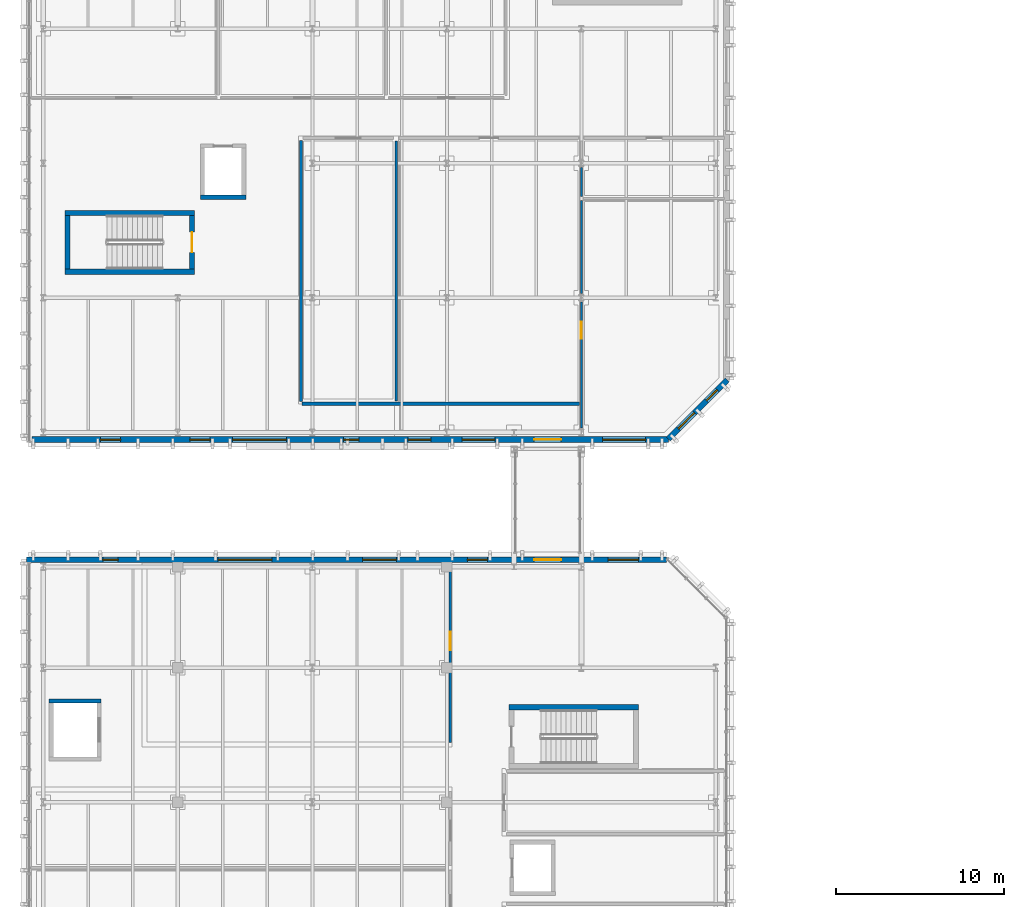
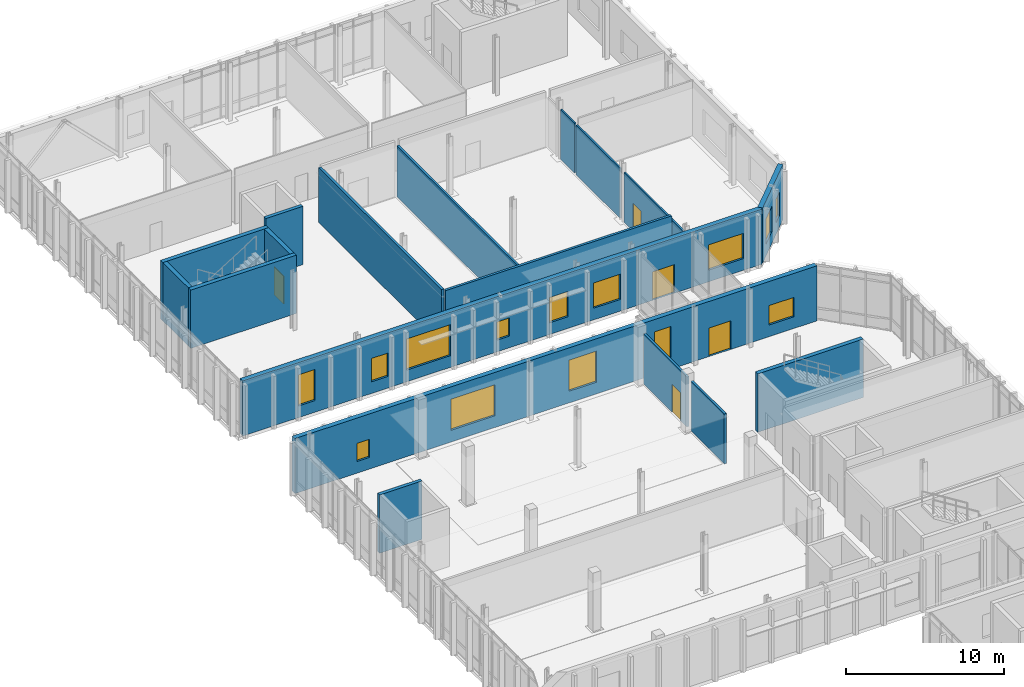
# One storey, part 73 of 100: 18 walls, 14 windows, 5 doors, 19 openings.
"""IFC4 building model written with IfcOpenShell, lengths in metres."""

from ifc_helpers import new_model, si_unit, direction, frame, frame_2d, origin, place, context, subcontext, project, spatial, rectangle, extrude, material, layer, layer_set, type_object, element, fill, save


model = new_model("IFC4")

# Units and contexts
model_context = context("Model", 3, precision=1e-05, world=origin(), true_north=direction((0.0, 1.0)))
body_context = subcontext(model_context, "Body", "Model", "MODEL_VIEW")
ifc_project = project(units=[si_unit("LENGTHUNIT", "METRE"), si_unit("AREAUNIT", "SQUARE_METRE"), si_unit("VOLUMEUNIT", "CUBIC_METRE"), si_unit("PLANEANGLEUNIT", "RADIAN"), si_unit("MASSUNIT", "GRAM", prefix="KILO")], contexts=[model_context])

# Site, building, storey
site_placement = place(None, origin())
site = spatial("IfcSite", under=ifc_project, at=site_placement, CompositionType="ELEMENT")
building_placement = place(site_placement, origin())
building = spatial("IfcBuilding", under=site, at=building_placement, Name="Cymarion Research Institute", CompositionType="ELEMENT")
storey_placement = place(building_placement, frame((0.0, 0.0, 9.300048828125)))
storey = spatial("IfcBuildingStorey", under=building, at=storey_placement, Name="L02", CompositionType="ELEMENT", Elevation=9.300048828125)

# Wall, openings, door, windows
ifc_material_1 = material(Name="Precast concrete C40/50", Category="concrete")
ifc_layer_1 = layer(ifc_material_1, 0.340087890625)
ifc_layer_set_1 = layer_set([ifc_layer_1], Name="Precast concrete C40/50")
wall_type_1 = type_object("IfcWallType", Name="EXTERIOR WALL EW-PC340 340MM", PredefinedType="SOLIDWALL", material=ifc_layer_set_1)
wall_1_placement = place(storey_placement, frame((43.67724609375, 77.929931640625, 0.0), z_axis=(0.0, 0.0, 1.0), x_axis=(-1.0, 0.0, 0.0)))
wall_1 = element("IfcWall", 1, at=wall_1_placement, inside=storey, type_object=wall_type_1, Name="L02 V4 exterior wall EW-PC340 #155", PredefinedType="SOLIDWALL", context=body_context, shape_type="SweptSolid", body=[
    extrude(rectangle(XDim=38.0771484375, YDim=0.340087890625, at=frame_2d((19.03857421875, 0.0))), origin(), (0.0, 0.0, 1.0), 4.25),
])
opening_1_placement = place(wall_1_placement, frame((6.277099609375, 0.0, 0.0)))
opening_1 = element("IfcOpeningElement", 2, at=opening_1_placement, cuts=wall_1, Name="Opening D-SP2-L02-S", PredefinedType="OPENING", context=body_context, shape_type="SweptSolid", body=[
    extrude(rectangle(XDim=1.60009765625, YDim=2.199951171875, at=frame_2d((0.800048828125, 1.10009765625))), frame((0.0, 0.179931640625, 0.0), z_axis=(0.0, -1.0, 0.0), x_axis=(1.0, 0.0, 0.0)), (0.0, 0.0, 1.0), 0.360107421875),
])
opening_2_placement = place(wall_1_placement, frame((1.68896484375, 0.0, 0.89990234375)))
opening_2 = element("IfcOpeningElement", 3, at=opening_2_placement, cuts=wall_1, Name="Opening W17", PredefinedType="OPENING", context=body_context, shape_type="SweptSolid", body=[
    extrude(rectangle(XDim=1.800048828125, YDim=1.5, at=frame_2d((0.89990234375, 0.75))), frame((0.0, 0.179931640625, 0.0), z_axis=(0.0, -1.0, 0.0), x_axis=(1.0, 0.0, 0.0)), (0.0, 0.0, 1.0), 0.360107421875),
])
opening_3_placement = place(wall_1_placement, frame((10.656982421875, 0.0, 0.89990234375)))
opening_3 = element("IfcOpeningElement", 4, at=opening_3_placement, cuts=wall_1, Name="Opening W19", PredefinedType="OPENING", context=body_context, shape_type="SweptSolid", body=[
    extrude(rectangle(XDim=1.199951171875, YDim=2.39990234375, at=frame_2d((0.60009765625, 1.199951171875))), frame((0.0, 0.179931640625, 0.0), z_axis=(0.0, -1.0, 0.0), x_axis=(1.0, 0.0, 0.0)), (0.0, 0.0, 1.0), 0.360107421875),
])
opening_4_placement = place(wall_1_placement, frame((16.076904296875, 0.0, 0.89990234375)))
opening_4 = element("IfcOpeningElement", 5, at=opening_4_placement, cuts=wall_1, Name="Opening W21", PredefinedType="OPENING", context=body_context, shape_type="SweptSolid", body=[
    extrude(rectangle(XDim=2.0, YDim=2.39990234375, at=frame_2d((1.0, 1.199951171875))), frame((0.0, 0.179931640625, 0.0), z_axis=(0.0, -1.0, 0.0), x_axis=(1.0, 0.0, 0.0)), (0.0, 0.0, 1.0), 0.360107421875),
])
opening_5_placement = place(wall_1_placement, frame((23.47705078125, 0.0, 0.89990234375)))
opening_5 = element("IfcOpeningElement", 6, at=opening_5_placement, cuts=wall_1, Name="Opening W23", PredefinedType="OPENING", context=body_context, shape_type="SweptSolid", body=[
    extrude(rectangle(XDim=3.199951171875, YDim=2.39990234375, at=frame_2d((1.60009765625, 1.199951171875))), frame((0.0, 0.179931640625, 0.0), z_axis=(0.0, -1.0, 0.0), x_axis=(1.0, 0.0, 0.0)), (0.0, 0.0, 1.0), 0.360107421875),
])
opening_6_placement = place(wall_1_placement, frame((32.626953125, 0.0, 0.89990234375)))
opening_6 = element("IfcOpeningElement", 7, at=opening_6_placement, cuts=wall_1, Name="Opening W25", PredefinedType="OPENING", context=body_context, shape_type="SweptSolid", body=[
    extrude(rectangle(XDim=0.89990234375, YDim=1.39990234375, at=frame_2d((0.449951171875, 0.699951171875))), frame((0.0, 0.179931640625, 0.0), z_axis=(0.0, -1.0, 0.0), x_axis=(1.0, 0.0, 0.0)), (0.0, 0.0, 1.0), 0.360107421875),
])
ifc_material_2 = material(Name="Thermally broken anodised aluminium glazed door", Category="aluminium")
door_type_1 = type_object("IfcDoorType", Name="GLAZED ALUMINIUM TERRACE ACCESS DOOR DT-TR160 1600X2200", OperationType="NOTDEFINED", PredefinedType="DOOR", material=ifc_material_2)
door_1_placement = place(opening_1_placement, frame((1.60009765625, 0.0, 0.0), z_axis=(0.0, 0.0, 1.0), x_axis=(-1.0, 0.0, 0.0)))
door_1 = element("IfcDoor", 8, at=door_1_placement, inside=storey, type_object=door_type_1, Name="L02 V4 Sky-Passage Portal Door D-SP2-L02-S", OperationType="SINGLE_SWING_RIGHT", OverallHeight=2.199951171875, OverallWidth=1.60009765625, PredefinedType="DOOR", context=body_context, shape_type="SweptSolid", body=[
    extrude(rectangle(XDim=1.60009765625, YDim=2.199951171875, at=frame_2d((0.800048828125, 1.10009765625))), frame((0.0, 0.02490234375, 0.0), z_axis=(0.0, -1.0, 0.0), x_axis=(1.0, 0.0, 0.0)), (0.0, 0.0, 1.0), 0.050048828125),
])
fill(opening_1, door_1)
ifc_material_3 = material(Name="Thermally broken aluminium window with Low-E glazing", Category="aluminium")
window_type_1 = type_object("IfcWindowType", Name="THERMALLY BROKEN ALUMINIUM WINDOW W17 1800X1500", PartitioningType="DOUBLE_PANEL_HORIZONTAL", PredefinedType="WINDOW", material=ifc_material_3)
window_1_placement = place(opening_2_placement, origin())
window_1 = element("IfcWindow", 9, at=window_1_placement, inside=storey, type_object=window_type_1, Name="L02 V4 facade window W17 #283", OverallHeight=1.5, OverallWidth=1.800048828125, PartitioningType="SINGLE_PANEL", PredefinedType="WINDOW", context=body_context, shape_type="SweptSolid", body=[
    extrude(rectangle(XDim=1.800048828125, YDim=1.5, at=frame_2d((0.89990234375, 0.75))), frame((0.0, 0.030029296875, 0.0), z_axis=(0.0, -1.0, 0.0), x_axis=(1.0, 0.0, 0.0)), (0.0, 0.0, 1.0), 0.06005859375),
])
fill(opening_2, window_1)
window_type_2 = type_object("IfcWindowType", Name="THERMALLY BROKEN ALUMINIUM WINDOW W19 1200X2400", PartitioningType="SINGLE_PANEL", PredefinedType="WINDOW", material=ifc_material_3)
window_2_placement = place(opening_3_placement, origin())
window_2 = element("IfcWindow", 10, at=window_2_placement, inside=storey, type_object=window_type_2, Name="L02 V4 facade window W19 #284", OverallHeight=2.39990234375, OverallWidth=1.199951171875, PartitioningType="SINGLE_PANEL", PredefinedType="WINDOW", context=body_context, shape_type="SweptSolid", body=[
    extrude(rectangle(XDim=1.199951171875, YDim=2.39990234375, at=frame_2d((0.60009765625, 1.199951171875))), frame((0.0, 0.030029296875, 0.0), z_axis=(0.0, -1.0, 0.0), x_axis=(1.0, 0.0, 0.0)), (0.0, 0.0, 1.0), 0.06005859375),
])
fill(opening_3, window_2)
window_type_3 = type_object("IfcWindowType", Name="THERMALLY BROKEN ALUMINIUM WINDOW W21 2000X2400", PartitioningType="DOUBLE_PANEL_VERTICAL", PredefinedType="WINDOW", material=ifc_material_3)
window_3_placement = place(opening_4_placement, origin())
window_3 = element("IfcWindow", 11, at=window_3_placement, inside=storey, type_object=window_type_3, Name="L02 V4 facade window W21 #285", OverallHeight=2.39990234375, OverallWidth=2.0, PartitioningType="SINGLE_PANEL", PredefinedType="WINDOW", context=body_context, shape_type="SweptSolid", body=[
    extrude(rectangle(XDim=2.0, YDim=2.39990234375, at=frame_2d((1.0, 1.199951171875))), frame((0.0, 0.030029296875, 0.0), z_axis=(0.0, -1.0, 0.0), x_axis=(1.0, 0.0, 0.0)), (0.0, 0.0, 1.0), 0.06005859375),
])
fill(opening_4, window_3)
window_type_4 = type_object("IfcWindowType", Name="THERMALLY BROKEN ALUMINIUM WINDOW W23 3200X2400", PartitioningType="TRIPLE_PANEL_VERTICAL", PredefinedType="WINDOW", material=ifc_material_3)
window_4_placement = place(opening_5_placement, origin())
window_4 = element("IfcWindow", 12, at=window_4_placement, inside=storey, type_object=window_type_4, Name="L02 V4 facade window W23 #286", OverallHeight=2.39990234375, OverallWidth=3.199951171875, PartitioningType="SINGLE_PANEL", PredefinedType="WINDOW", context=body_context, shape_type="SweptSolid", body=[
    extrude(rectangle(XDim=3.199951171875, YDim=2.39990234375, at=frame_2d((1.60009765625, 1.199951171875))), frame((0.0, 0.030029296875, 0.0), z_axis=(0.0, -1.0, 0.0), x_axis=(1.0, 0.0, 0.0)), (0.0, 0.0, 1.0), 0.06005859375),
])
fill(opening_5, window_4)
window_type_5 = type_object("IfcWindowType", Name="THERMALLY BROKEN ALUMINIUM WINDOW W25 900X1400", PartitioningType="SINGLE_PANEL", PredefinedType="WINDOW", material=ifc_material_3)
window_5_placement = place(opening_6_placement, origin())
window_5 = element("IfcWindow", 13, at=window_5_placement, inside=storey, type_object=window_type_5, Name="L02 V4 facade window W25 #287", OverallHeight=1.39990234375, OverallWidth=0.89990234375, PartitioningType="SINGLE_PANEL", PredefinedType="WINDOW", context=body_context, shape_type="SweptSolid", body=[
    extrude(rectangle(XDim=0.89990234375, YDim=1.39990234375, at=frame_2d((0.449951171875, 0.699951171875))), frame((0.0, 0.030029296875, 0.0), z_axis=(0.0, -1.0, 0.0), x_axis=(1.0, 0.0, 0.0)), (0.0, 0.0, 1.0), 0.06005859375),
])
fill(opening_6, window_5)

wall_2_placement = place(storey_placement, frame((5.922119140625, 85.070068359375, 0.0), z_axis=(0.0, 0.0, 1.0), x_axis=(1.0, 0.0, 0.0)))
wall_2 = element("IfcWall", 14, at=wall_2_placement, inside=storey, type_object=wall_type_1, Name="L02 V5 exterior wall EW-PC340 #156", PredefinedType="SOLIDWALL", context=body_context, shape_type="SweptSolid", body=[
    extrude(rectangle(XDim=37.8779296875, YDim=0.340087890625, at=frame_2d((18.93896484375, 0.0))), origin(), (0.0, 0.0, 1.0), 4.25),
])
opening_7_placement = place(wall_2_placement, frame((29.8779296875, 0.0, 0.0)))
opening_7 = element("IfcOpeningElement", 15, at=opening_7_placement, cuts=wall_2, Name="Opening D-SP2-L02-N", PredefinedType="OPENING", context=body_context, shape_type="SweptSolid", body=[
    extrude(rectangle(XDim=1.60009765625, YDim=2.199951171875, at=frame_2d((0.800048828125, 1.10009765625))), frame((0.0, 0.179931640625, 0.0), z_axis=(0.0, -1.0, 0.0), x_axis=(1.0, 0.0, 0.0)), (0.0, 0.0, 1.0), 0.360107421875),
])
opening_8_placement = place(wall_2_placement, frame((4.077880859375, 0.0, 0.89990234375)))
opening_8 = element("IfcOpeningElement", 16, at=opening_8_placement, cuts=wall_2, Name="Opening W19", PredefinedType="OPENING", context=body_context, shape_type="SweptSolid", body=[
    extrude(rectangle(XDim=1.199951171875, YDim=2.39990234375, at=frame_2d((0.60009765625, 1.199951171875))), frame((0.0, 0.179931640625, 0.0), z_axis=(0.0, -1.0, 0.0), x_axis=(1.0, 0.0, 0.0)), (0.0, 0.0, 1.0), 0.360107421875),
])
opening_9_placement = place(wall_2_placement, frame((9.39794921875, 0.0, 0.89990234375)))
opening_9 = element("IfcOpeningElement", 17, at=opening_9_placement, cuts=wall_2, Name="Opening W01", PredefinedType="OPENING", context=body_context, shape_type="SweptSolid", body=[
    extrude(rectangle(XDim=1.199951171875, YDim=1.800048828125, at=frame_2d((0.60009765625, 0.89990234375))), frame((0.0, 0.179931640625, 0.0), z_axis=(0.0, -1.0, 0.0), x_axis=(1.0, 0.0, 0.0)), (0.0, 0.0, 1.0), 0.360107421875),
])
opening_10_placement = place(wall_2_placement, frame((11.93798828125, 0.0, 0.89990234375)))
opening_10 = element("IfcOpeningElement", 18, at=opening_10_placement, cuts=wall_2, Name="Opening W23", PredefinedType="OPENING", context=body_context, shape_type="SweptSolid", body=[
    extrude(rectangle(XDim=3.199951171875, YDim=2.39990234375, at=frame_2d((1.60009765625, 1.199951171875))), frame((0.0, 0.179931640625, 0.0), z_axis=(0.0, -1.0, 0.0), x_axis=(1.0, 0.0, 0.0)), (0.0, 0.0, 1.0), 0.360107421875),
])
opening_11_placement = place(wall_2_placement, frame((18.548095703125, 0.0, 0.89990234375)))
opening_11 = element("IfcOpeningElement", 19, at=opening_11_placement, cuts=wall_2, Name="Opening W25", PredefinedType="OPENING", context=body_context, shape_type="SweptSolid", body=[
    extrude(rectangle(XDim=0.89990234375, YDim=1.39990234375, at=frame_2d((0.449951171875, 0.699951171875))), frame((0.0, 0.179931640625, 0.0), z_axis=(0.0, -1.0, 0.0), x_axis=(1.0, 0.0, 0.0)), (0.0, 0.0, 1.0), 0.360107421875),
])
opening_12_placement = place(wall_2_placement, frame((22.383056640625, 0.0, 0.89990234375)))
opening_12 = element("IfcOpeningElement", 20, at=opening_12_placement, cuts=wall_2, Name="Opening W27", PredefinedType="OPENING", context=body_context, shape_type="SweptSolid", body=[
    extrude(rectangle(XDim=1.35009765625, YDim=1.949951171875, at=frame_2d((0.675048828125, 0.97509765625))), frame((0.0, 0.179931640625, 0.0), z_axis=(0.0, -1.0, 0.0), x_axis=(1.0, 0.0, 0.0)), (0.0, 0.0, 1.0), 0.360107421875),
])
opening_13_placement = place(wall_2_placement, frame((25.5830078125, 0.0, 0.89990234375)))
opening_13 = element("IfcOpeningElement", 21, at=opening_13_placement, cuts=wall_2, Name="Opening W29", PredefinedType="OPENING", context=body_context, shape_type="SweptSolid", body=[
    extrude(rectangle(XDim=1.949951171875, YDim=1.949951171875, at=frame_2d((0.97509765625, 0.97509765625))), frame((0.0, 0.179931640625, 0.0), z_axis=(0.0, -1.0, 0.0), x_axis=(1.0, 0.0, 0.0)), (0.0, 0.0, 1.0), 0.360107421875),
])
opening_14_placement = place(wall_2_placement, frame((33.952880859375, 0.0, 0.89990234375)))
opening_14 = element("IfcOpeningElement", 22, at=opening_14_placement, cuts=wall_2, Name="Opening W31", PredefinedType="OPENING", context=body_context, shape_type="SweptSolid", body=[
    extrude(rectangle(XDim=2.550048828125, YDim=1.949951171875, at=frame_2d((1.27490234375, 0.97509765625))), frame((0.0, 0.179931640625, 0.0), z_axis=(0.0, -1.0, 0.0), x_axis=(1.0, 0.0, 0.0)), (0.0, 0.0, 1.0), 0.360107421875),
])
door_2_placement = place(opening_7_placement, frame((1.60009765625, 0.0, 0.0), z_axis=(0.0, 0.0, 1.0), x_axis=(-1.0, 0.0, 0.0)))
door_2 = element("IfcDoor", 23, at=door_2_placement, inside=storey, type_object=door_type_1, Name="L02 V5 Sky-Passage Portal Door D-SP2-L02-N", OperationType="SINGLE_SWING_RIGHT", OverallHeight=2.199951171875, OverallWidth=1.60009765625, PredefinedType="DOOR", context=body_context, shape_type="SweptSolid", body=[
    extrude(rectangle(XDim=1.60009765625, YDim=2.199951171875, at=frame_2d((0.800048828125, 1.10009765625))), frame((0.0, 0.02490234375, 0.0), z_axis=(0.0, -1.0, 0.0), x_axis=(1.0, 0.0, 0.0)), (0.0, 0.0, 1.0), 0.050048828125),
])
fill(opening_7, door_2)
window_type_6 = type_object("IfcWindowType", Name="THERMALLY BROKEN ALUMINIUM WINDOW W01 1200X1800", PartitioningType="SINGLE_PANEL", PredefinedType="WINDOW", material=ifc_material_3)
window_6_placement = place(opening_9_placement, origin())
window_6 = element("IfcWindow", 24, at=window_6_placement, inside=storey, type_object=window_type_6, Name="L02 V5 facade window W01 #289", OverallHeight=1.800048828125, OverallWidth=1.199951171875, PartitioningType="SINGLE_PANEL", PredefinedType="WINDOW", context=body_context, shape_type="SweptSolid", body=[
    extrude(rectangle(XDim=1.199951171875, YDim=1.800048828125, at=frame_2d((0.60009765625, 0.89990234375))), frame((0.0, 0.030029296875, 0.0), z_axis=(0.0, -1.0, 0.0), x_axis=(1.0, 0.0, 0.0)), (0.0, 0.0, 1.0), 0.06005859375),
])
fill(opening_9, window_6)
window_7_placement = place(opening_8_placement, origin())
window_7 = element("IfcWindow", 25, at=window_7_placement, inside=storey, type_object=window_type_2, Name="L02 V5 facade window W19 #288", OverallHeight=2.39990234375, OverallWidth=1.199951171875, PartitioningType="SINGLE_PANEL", PredefinedType="WINDOW", context=body_context, shape_type="SweptSolid", body=[
    extrude(rectangle(XDim=1.199951171875, YDim=2.39990234375, at=frame_2d((0.60009765625, 1.199951171875))), frame((0.0, 0.030029296875, 0.0), z_axis=(0.0, -1.0, 0.0), x_axis=(1.0, 0.0, 0.0)), (0.0, 0.0, 1.0), 0.06005859375),
])
fill(opening_8, window_7)
window_8_placement = place(opening_10_placement, origin())
window_8 = element("IfcWindow", 26, at=window_8_placement, inside=storey, type_object=window_type_4, Name="L02 V5 facade window W23 #290", OverallHeight=2.39990234375, OverallWidth=3.199951171875, PartitioningType="SINGLE_PANEL", PredefinedType="WINDOW", context=body_context, shape_type="SweptSolid", body=[
    extrude(rectangle(XDim=3.199951171875, YDim=2.39990234375, at=frame_2d((1.60009765625, 1.199951171875))), frame((0.0, 0.030029296875, 0.0), z_axis=(0.0, -1.0, 0.0), x_axis=(1.0, 0.0, 0.0)), (0.0, 0.0, 1.0), 0.06005859375),
])
fill(opening_10, window_8)
window_9_placement = place(opening_11_placement, origin())
window_9 = element("IfcWindow", 27, at=window_9_placement, inside=storey, type_object=window_type_5, Name="L02 V5 facade window W25 #291", OverallHeight=1.39990234375, OverallWidth=0.89990234375, PartitioningType="SINGLE_PANEL", PredefinedType="WINDOW", context=body_context, shape_type="SweptSolid", body=[
    extrude(rectangle(XDim=0.89990234375, YDim=1.39990234375, at=frame_2d((0.449951171875, 0.699951171875))), frame((0.0, 0.030029296875, 0.0), z_axis=(0.0, -1.0, 0.0), x_axis=(1.0, 0.0, 0.0)), (0.0, 0.0, 1.0), 0.06005859375),
])
fill(opening_11, window_9)
window_type_7 = type_object("IfcWindowType", Name="THERMALLY BROKEN ALUMINIUM WINDOW W27 1350X1950", PartitioningType="SINGLE_PANEL", PredefinedType="WINDOW", material=ifc_material_3)
window_10_placement = place(opening_12_placement, origin())
window_10 = element("IfcWindow", 28, at=window_10_placement, inside=storey, type_object=window_type_7, Name="L02 V5 facade window W27 #292", OverallHeight=1.949951171875, OverallWidth=1.35009765625, PartitioningType="SINGLE_PANEL", PredefinedType="WINDOW", context=body_context, shape_type="SweptSolid", body=[
    extrude(rectangle(XDim=1.35009765625, YDim=1.949951171875, at=frame_2d((0.675048828125, 0.97509765625))), frame((0.0, 0.030029296875, 0.0), z_axis=(0.0, -1.0, 0.0), x_axis=(1.0, 0.0, 0.0)), (0.0, 0.0, 1.0), 0.06005859375),
])
fill(opening_12, window_10)
window_type_8 = type_object("IfcWindowType", Name="THERMALLY BROKEN ALUMINIUM WINDOW W29 1950X1950", PartitioningType="DOUBLE_PANEL_VERTICAL", PredefinedType="WINDOW", material=ifc_material_3)
window_11_placement = place(opening_13_placement, origin())
window_11 = element("IfcWindow", 29, at=window_11_placement, inside=storey, type_object=window_type_8, Name="L02 V5 facade window W29 #293", OverallHeight=1.949951171875, OverallWidth=1.949951171875, PartitioningType="SINGLE_PANEL", PredefinedType="WINDOW", context=body_context, shape_type="SweptSolid", body=[
    extrude(rectangle(XDim=1.949951171875, YDim=1.949951171875, at=frame_2d((0.97509765625, 0.97509765625))), frame((0.0, 0.030029296875, 0.0), z_axis=(0.0, -1.0, 0.0), x_axis=(1.0, 0.0, 0.0)), (0.0, 0.0, 1.0), 0.06005859375),
])
fill(opening_13, window_11)
window_type_9 = type_object("IfcWindowType", Name="THERMALLY BROKEN ALUMINIUM WINDOW W31 2550X1950", PartitioningType="TRIPLE_PANEL_VERTICAL", PredefinedType="WINDOW", material=ifc_material_3)
window_12_placement = place(opening_14_placement, origin())
window_12 = element("IfcWindow", 30, at=window_12_placement, inside=storey, type_object=window_type_9, Name="L02 V5 facade window W31 #294", OverallHeight=1.949951171875, OverallWidth=2.550048828125, PartitioningType="SINGLE_PANEL", PredefinedType="WINDOW", context=body_context, shape_type="SweptSolid", body=[
    extrude(rectangle(XDim=2.550048828125, YDim=1.949951171875, at=frame_2d((1.27490234375, 0.97509765625))), frame((0.0, 0.030029296875, 0.0), z_axis=(0.0, -1.0, 0.0), x_axis=(1.0, 0.0, 0.0)), (0.0, 0.0, 1.0), 0.06005859375),
])
fill(opening_14, window_12)

# Wall, openings, windows
wall_3_placement = place(storey_placement, frame((43.7666015625, 85.107177734375, 0.0), z_axis=(0.0, 0.0, 1.0), x_axis=(0.707131350994, 0.707082210525, 0.0)))
wall_3 = element("IfcWall", 31, at=wall_3_placement, inside=storey, type_object=wall_type_1, Name="L02 V5 exterior wall EW-PC340 #157", PredefinedType="SOLIDWALL", context=body_context, shape_type="SweptSolid", body=[
    extrude(rectangle(XDim=4.96826171875, YDim=0.340087890625, at=frame_2d((2.484130859375, 0.0))), origin(), (0.0, 0.0, 1.0), 4.25),
])
opening_15_placement = place(wall_3_placement, frame((0.85595703125, 0.0, 0.89990234375)))
opening_15 = element("IfcOpeningElement", 32, at=opening_15_placement, cuts=wall_3, Name="Opening W27", PredefinedType="OPENING", context=body_context, shape_type="SweptSolid", body=[
    extrude(rectangle(XDim=1.35009765625, YDim=1.949951171875, at=frame_2d((0.675048828125, 0.97509765625))), frame((0.0, 0.179931640625, 0.0), z_axis=(0.0, -1.0, 0.0), x_axis=(1.0, 0.0, 0.0)), (0.0, 0.0, 1.0), 0.360107421875),
])
opening_16_placement = place(wall_3_placement, frame((3.22509765625, 0.0, 0.89990234375)))
opening_16 = element("IfcOpeningElement", 33, at=opening_16_placement, cuts=wall_3, Name="Opening W24", PredefinedType="OPENING", context=body_context, shape_type="SweptSolid", body=[
    extrude(rectangle(XDim=0.89990234375, YDim=1.800048828125, at=frame_2d((0.449951171875, 0.89990234375))), frame((0.0, 0.179931640625, 0.0), z_axis=(0.0, -1.0, 0.0), x_axis=(1.0, 0.0, 0.0)), (0.0, 0.0, 1.0), 0.360107421875),
])
window_type_10 = type_object("IfcWindowType", Name="THERMALLY BROKEN ALUMINIUM WINDOW W24 900X1800", PartitioningType="SINGLE_PANEL", PredefinedType="WINDOW", material=ifc_material_3)
window_13_placement = place(opening_16_placement, origin())
window_13 = element("IfcWindow", 34, at=window_13_placement, inside=storey, type_object=window_type_10, Name="L02 V5 facade window W24 #296", OverallHeight=1.800048828125, OverallWidth=0.89990234375, PartitioningType="SINGLE_PANEL", PredefinedType="WINDOW", context=body_context, shape_type="SweptSolid", body=[
    extrude(rectangle(XDim=0.89990234375, YDim=1.800048828125, at=frame_2d((0.449951171875, 0.89990234375))), frame((0.0, 0.030029296875, 0.0), z_axis=(0.0, -1.0, 0.0), x_axis=(1.0, 0.0, 0.0)), (0.0, 0.0, 1.0), 0.06005859375),
])
fill(opening_16, window_13)
window_14_placement = place(opening_15_placement, origin())
window_14 = element("IfcWindow", 35, at=window_14_placement, inside=storey, type_object=window_type_7, Name="L02 V5 facade window W27 #295", OverallHeight=1.949951171875, OverallWidth=1.35009765625, PartitioningType="SINGLE_PANEL", PredefinedType="WINDOW", context=body_context, shape_type="SweptSolid", body=[
    extrude(rectangle(XDim=1.35009765625, YDim=1.949951171875, at=frame_2d((0.675048828125, 0.97509765625))), frame((0.0, 0.030029296875, 0.0), z_axis=(0.0, -1.0, 0.0), x_axis=(1.0, 0.0, 0.0)), (0.0, 0.0, 1.0), 0.06005859375),
])
fill(opening_15, window_14)

# Walls
ifc_material_4 = material(Name="Gypsum acoustic double-stud partition", Category="gypsum")
ifc_layer_2 = layer(ifc_material_4, 0.14990234375)
ifc_layer_set_2 = layer_set([ifc_layer_2], Name="Gypsum acoustic double-stud partition")
wall_type_2 = type_object("IfcWallType", Name="INTERIOR PARTITION IW-AC150 150MM", PredefinedType="PARTITIONING", material=ifc_layer_set_2)
wall_4_placement = place(storey_placement, frame((27.60009765625, 87.360107421875, 0.0), z_axis=(0.0, 0.0, 1.0), x_axis=(0.0, 1.0, 0.0)))
element("IfcWall", 36, at=wall_4_placement, inside=storey, type_object=wall_type_2, Name="L02 V5 interior partition IW-AC150 #205", PredefinedType="PARTITIONING", context=body_context, shape_type="SweptSolid", body=[
    extrude(rectangle(XDim=15.47998046875, YDim=0.14990234375, at=frame_2d((7.739990234375, 0.0))), origin(), (0.0, 0.0, 1.0), 3.949951171875),
])
ifc_material_5 = material(Name="ISO cleanroom modular flush panel wall", Category="metal")
ifc_layer_3 = layer(ifc_material_5, 0.159912109375)
ifc_layer_set_3 = layer_set([ifc_layer_3], Name="ISO cleanroom modular flush panel wall")
wall_type_3 = type_object("IfcWallType", Name="INTERIOR PARTITION IW-CL160 160MM", PredefinedType="PARTITIONING", material=ifc_layer_set_3)
wall_5_placement = place(storey_placement, frame((30.800048828125, 67.050048828125, 0.0), z_axis=(0.0, 0.0, 1.0), x_axis=(0.0, 1.0, 0.0)))
element("IfcWall", 37, at=wall_5_placement, inside=storey, type_object=wall_type_3, Name="L02 V4 interior partition IW-CL160 #195", PredefinedType="PARTITIONING", context=body_context, shape_type="SweptSolid", body=[
    extrude(rectangle(XDim=4.199951171875, YDim=0.159912109375, at=frame_2d((2.10009765625, 0.0))), origin(), (0.0, 0.0, 1.0), 3.849853515625),
])

# Wall, opening, door
wall_6_placement = place(storey_placement, frame((30.800048828125, 71.75, 0.0), z_axis=(0.0, 0.0, 1.0), x_axis=(0.0, 1.0, 0.0)))
wall_6 = element("IfcWall", 38, at=wall_6_placement, inside=storey, type_object=wall_type_3, Name="L02 V4 interior partition IW-CL160 #196", PredefinedType="PARTITIONING", context=body_context, shape_type="SweptSolid", body=[
    extrude(rectangle(XDim=5.5, YDim=0.159912109375, at=frame_2d((2.75, 0.0))), origin(), (0.0, 0.0, 1.0), 3.849853515625),
])
opening_17_placement = place(wall_6_placement, frame((0.7919921875, 0.0, 0.0)))
opening_17 = element("IfcOpeningElement", 39, at=opening_17_placement, cuts=wall_6, Name="Opening D-L02-131", PredefinedType="OPENING", context=body_context, shape_type="SweptSolid", body=[
    extrude(rectangle(XDim=1.10009765625, YDim=2.14990234375, at=frame_2d((0.550048828125, 1.074951171875))), frame((0.0, 0.08984375, 0.0), z_axis=(0.0, -1.0, 0.0), x_axis=(1.0, 0.0, 0.0)), (0.0, 0.0, 1.0), 0.179931640625),
])
ifc_material_6 = material(Name="Flush acoustic timber/steel door assembly", Category="steel")
door_type_2 = type_object("IfcDoorType", Name="LABORATORY WIDE SINGLE DOOR DT-LB110 1100X2150", OperationType="NOTDEFINED", PredefinedType="DOOR", material=ifc_material_6)
door_3_placement = place(opening_17_placement, origin())
door_3 = element("IfcDoor", 40, at=door_3_placement, inside=storey, type_object=door_type_2, Name="L02 Metrology Lab door D-L02-131", OperationType="SINGLE_SWING_RIGHT", OverallHeight=2.14990234375, OverallWidth=1.10009765625, PredefinedType="DOOR", context=body_context, shape_type="SweptSolid", body=[
    extrude(rectangle(XDim=1.10009765625, YDim=2.14990234375, at=frame_2d((0.550048828125, 1.074951171875))), frame((0.0, 0.02490234375, 0.0), z_axis=(0.0, -1.0, 0.0), x_axis=(1.0, 0.0, 0.0)), (0.0, 0.0, 1.0), 0.050048828125),
])
fill(opening_17, door_3)

# Walls
ifc_material_7 = material(Name="Moisture-resistant laboratory partition", Category="gypsum")
ifc_layer_4 = layer(ifc_material_7, 0.179931640625)
ifc_layer_set_4 = layer_set([ifc_layer_4], Name="Moisture-resistant laboratory partition")
wall_type_4 = type_object("IfcWallType", Name="INTERIOR PARTITION IW-LB180 180MM", PredefinedType="PARTITIONING", material=ifc_layer_set_4)
wall_7_placement = place(storey_placement, frame((21.919921875, 87.340087890625, 0.0), z_axis=(0.0, 0.0, 1.0), x_axis=(0.0, 1.0, 0.0)))
element("IfcWall", 41, at=wall_7_placement, inside=storey, type_object=wall_type_4, Name="L02 V5 interior partition IW-LB180 #203", PredefinedType="PARTITIONING", context=body_context, shape_type="SweptSolid", body=[
    extrude(rectangle(XDim=15.52001953125, YDim=0.179931640625, at=frame_2d((7.760009765625, 0.0))), origin(), (0.0, 0.0, 1.0), 4.25),
])
wall_8_placement = place(storey_placement, frame((22.0, 87.199951171875, 0.0), z_axis=(0.0, 0.0, 1.0), x_axis=(1.0, 0.0, 0.0)))
element("IfcWall", 42, at=wall_8_placement, inside=storey, type_object=wall_type_4, Name="L02 V5 interior partition IW-LB180 #204", PredefinedType="PARTITIONING", context=body_context, shape_type="SweptSolid", body=[
    extrude(rectangle(XDim=16.47998046875, YDim=0.179931640625, at=frame_2d((8.239990234375, 0.0))), origin(), (0.0, 0.0, 1.0), 4.25),
])

# Wall, opening, door
ifc_material_8 = material(Name="Service riser shaft wall", Category="gypsum")
ifc_layer_5 = layer(ifc_material_8, 0.1201171875)
ifc_layer_set_5 = layer_set([ifc_layer_5], Name="Service riser shaft wall")
wall_type_5 = type_object("IfcWallType", Name="INTERIOR PARTITION IW-SH120 120MM", PredefinedType="PARTITIONING", material=ifc_layer_set_5)
wall_9_placement = place(storey_placement, frame((38.60009765625, 85.75, 0.0), z_axis=(0.0, 0.0, 1.0), x_axis=(0.0, 1.0, 0.0)))
wall_9 = element("IfcWall", 43, at=wall_9_placement, inside=storey, type_object=wall_type_5, Name="L02 V5 interior partition IW-SH120 #207", PredefinedType="PARTITIONING", context=body_context, shape_type="SweptSolid", body=[
    extrude(rectangle(XDim=7.5, YDim=0.1201171875, at=frame_2d((3.75, 0.0))), origin(), (0.0, 0.0, 1.0), 3.849853515625),
])
opening_18_placement = place(wall_9_placement, frame((5.330078125, 0.0, 0.0)))
opening_18 = element("IfcOpeningElement", 44, at=opening_18_placement, cuts=wall_9, Name="Opening D-L02-134", PredefinedType="OPENING", context=body_context, shape_type="SweptSolid", body=[
    extrude(rectangle(XDim=1.0, YDim=2.14990234375, at=frame_2d((0.5, 1.074951171875))), frame((0.0, 0.070068359375, 0.0), z_axis=(0.0, -1.0, 0.0), x_axis=(1.0, 0.0, 0.0)), (0.0, 0.0, 1.0), 0.14013671875),
])
door_type_3 = type_object("IfcDoorType", Name="LABORATORY SINGLE LEAF DOOR DT-LB100 1000X2150", OperationType="NOTDEFINED", PredefinedType="DOOR", material=ifc_material_6)
door_4_placement = place(opening_18_placement, origin())
door_4 = element("IfcDoor", 45, at=door_4_placement, inside=storey, type_object=door_type_3, Name="L02 Tape Archive door D-L02-134", OperationType="SINGLE_SWING_LEFT", OverallHeight=2.14990234375, OverallWidth=1.0, PredefinedType="DOOR", context=body_context, shape_type="SweptSolid", body=[
    extrude(rectangle(XDim=1.0, YDim=2.14990234375, at=frame_2d((0.5, 1.074951171875))), frame((0.0, 0.02490234375, 0.0), z_axis=(0.0, -1.0, 0.0), x_axis=(1.0, 0.0, 0.0)), (0.0, 0.0, 1.0), 0.050048828125),
])
fill(opening_18, door_4)

# Walls
wall_10_placement = place(storey_placement, frame((38.60009765625, 93.75, 0.0), z_axis=(0.0, 0.0, 1.0), x_axis=(0.0, 1.0, 0.0)))
element("IfcWall", 46, at=wall_10_placement, inside=storey, type_object=wall_type_5, Name="L02 V5 interior partition IW-SH120 #208", PredefinedType="PARTITIONING", context=body_context, shape_type="SweptSolid", body=[
    extrude(rectangle(XDim=5.530029296875, YDim=0.1201171875, at=frame_2d((2.76513671875, 0.0))), origin(), (0.0, 0.0, 1.0), 3.849853515625),
])
wall_11_placement = place(storey_placement, frame((38.60009765625, 99.52001953125, 0.0), z_axis=(0.0, 0.0, 1.0), x_axis=(0.0, 1.0, 0.0)))
element("IfcWall", 47, at=wall_11_placement, inside=storey, type_object=wall_type_5, Name="L02 V5 interior partition IW-SH120 #209", PredefinedType="PARTITIONING", context=body_context, shape_type="SweptSolid", body=[
    extrude(rectangle(XDim=1.72998046875, YDim=0.1201171875, at=frame_2d((0.864990234375, 0.0))), origin(), (0.0, 0.0, 1.0), 3.849853515625),
])
ifc_material_9 = material(Name="Concrete C40/50", Category="concrete")
ifc_layer_6 = layer(ifc_material_9, 0.25)
ifc_layer_set_6 = layer_set([ifc_layer_6], Name="Concrete C40/50")
wall_type_6 = type_object("IfcWallType", Name="REINFORCED CONCRETE CORE WALL CW-SH250 250MM", PredefinedType="SHEAR", material=ifc_layer_set_6)
wall_12_placement = place(storey_placement, frame((15.949951171875, 99.47509765625, 0.0), z_axis=(0.0, 0.0, 1.0), x_axis=(1.0, 0.0, 0.0)))
element("IfcWall", 48, at=wall_12_placement, inside=storey, type_object=wall_type_6, Name="L02 LSH-LP5-L02 south core wall", PredefinedType="SHEAR", context=body_context, shape_type="SweptSolid", body=[
    extrude(rectangle(XDim=2.699951171875, YDim=0.25, at=frame_2d((1.35009765625, 0.0))), origin(), (0.0, 0.0, 1.0), 4.5),
])
wall_13_placement = place(storey_placement, frame((10.050048828125, 69.52490234375, 0.0), z_axis=(0.0, 0.0, 1.0), x_axis=(-1.0, 0.0, 0.0)))
element("IfcWall", 49, at=wall_13_placement, inside=storey, type_object=wall_type_6, Name="L02 LSH-LG1-L02 north core wall", PredefinedType="SHEAR", context=body_context, shape_type="SweptSolid", body=[
    extrude(rectangle(XDim=3.10009765625, YDim=0.25, at=frame_2d((1.550048828125, 0.0))), origin(), (0.0, 0.0, 1.0), 4.5),
])
ifc_layer_7 = layer(ifc_material_9, 0.300048828125)
ifc_layer_set_7 = layer_set([ifc_layer_7], Name="Concrete C40/50")
wall_type_7 = type_object("IfcWallType", Name="REINFORCED CONCRETE CORE WALL CW-SH300 300MM", PredefinedType="SHEAR", material=ifc_layer_set_7)
wall_14_placement = place(storey_placement, frame((42.0, 69.14990234375, 0.0), z_axis=(0.0, 0.0, 1.0), x_axis=(-1.0, 0.0, 0.0)))
element("IfcWall", 50, at=wall_14_placement, inside=storey, type_object=wall_type_7, Name="L02 SHW-C8-L02 north core wall", PredefinedType="SHEAR", context=body_context, shape_type="SweptSolid", body=[
    extrude(rectangle(XDim=7.699951171875, YDim=0.300048828125, at=frame_2d((3.85009765625, 0.0))), origin(), (0.0, 0.0, 1.0), 4.5),
])
for number, where, z_axis, x_axis, name in (
    (51, (7.89990234375, 95.050048828125, 0.0), (0.0, 0.0, 1.0), (1.0, 0.0, 0.0), "L02 SHW-C9-L02 south core wall"),
    (52, (15.60009765625, 98.550048828125, 0.0), (0.0, 0.0, 1.0), (-1.0, 0.0, 0.0), "L02 SHW-C9-L02 north core wall"),
):
    element("IfcWall", number, at=place(storey_placement, frame(where, z_axis=z_axis, x_axis=x_axis)), inside=storey, type_object=wall_type_7, Name=name, PredefinedType="SHEAR", context=body_context, shape_type="SweptSolid", body=[
        extrude(rectangle(XDim=7.7001953125, YDim=0.300048828125, at=frame_2d((3.85009765625, 0.0))), origin(), (0.0, 0.0, 1.0), 4.5),
    ])
wall_15_placement = place(storey_placement, frame((8.050048828125, 98.39990234375, 0.0), z_axis=(0.0, 0.0, 1.0), x_axis=(0.0, -1.0, 0.0)))
element("IfcWall", 53, at=wall_15_placement, inside=storey, type_object=wall_type_7, Name="L02 SHW-C9-L02 west core wall", PredefinedType="SHEAR", context=body_context, shape_type="SweptSolid", body=[
    extrude(rectangle(XDim=3.199951171875, YDim=0.300048828125, at=frame_2d((1.60009765625, 0.0))), origin(), (0.0, 0.0, 1.0), 4.5),
])

# Wall, opening, door
wall_16_placement = place(storey_placement, frame((15.449951171875, 95.199951171875, 0.0), z_axis=(0.0, 0.0, 1.0), x_axis=(0.0, 1.0, 0.0)))
wall_16 = element("IfcWall", 54, at=wall_16_placement, inside=storey, type_object=wall_type_7, Name="L02 SHW-C9-L02 east core wall", PredefinedType="SHEAR", context=body_context, shape_type="SweptSolid", body=[
    extrude(rectangle(XDim=3.199951171875, YDim=0.300048828125, at=frame_2d((1.60009765625, 0.0))), origin(), (0.0, 0.0, 1.0), 4.5),
])
opening_19_placement = place(wall_16_placement, frame((1.0, 0.0, 0.0)))
opening_19 = element("IfcOpeningElement", 55, at=opening_19_placement, cuts=wall_16, Name="Opening FD-L02-ST9", PredefinedType="OPENING", context=body_context, shape_type="SweptSolid", body=[
    extrude(rectangle(XDim=1.199951171875, YDim=2.14990234375, at=frame_2d((0.60009765625, 1.074951171875))), frame((0.0, 0.159912109375, 0.0), z_axis=(0.0, -1.0, 0.0), x_axis=(1.0, 0.0, 0.0)), (0.0, 0.0, 1.0), 0.320068359375),
])
ifc_material_10 = material(Name="Fire-rated insulated steel door assembly", Category="steel")
door_type_4 = type_object("IfcDoorType", Name="SMOKE PROOF STAIR FIRE DOOR DT-ST120 1200X2150", OperationType="NOTDEFINED", PredefinedType="DOOR", material=ifc_material_10)
door_5_placement = place(opening_19_placement, origin())
door_5 = element("IfcDoor", 56, at=door_5_placement, inside=storey, type_object=door_type_4, Name="L02 ST9 smoke-proof stair door FD-L02-ST9", OperationType="SINGLE_SWING_RIGHT", OverallHeight=2.14990234375, OverallWidth=1.199951171875, PredefinedType="DOOR", context=body_context, shape_type="SweptSolid", body=[
    extrude(rectangle(XDim=1.199951171875, YDim=2.14990234375, at=frame_2d((0.60009765625, 1.074951171875))), frame((0.0, 0.02490234375, 0.0), z_axis=(0.0, -1.0, 0.0), x_axis=(1.0, 0.0, 0.0)), (0.0, 0.0, 1.0), 0.050048828125),
])
fill(opening_19, door_5)

save(model, "model.ifc")
